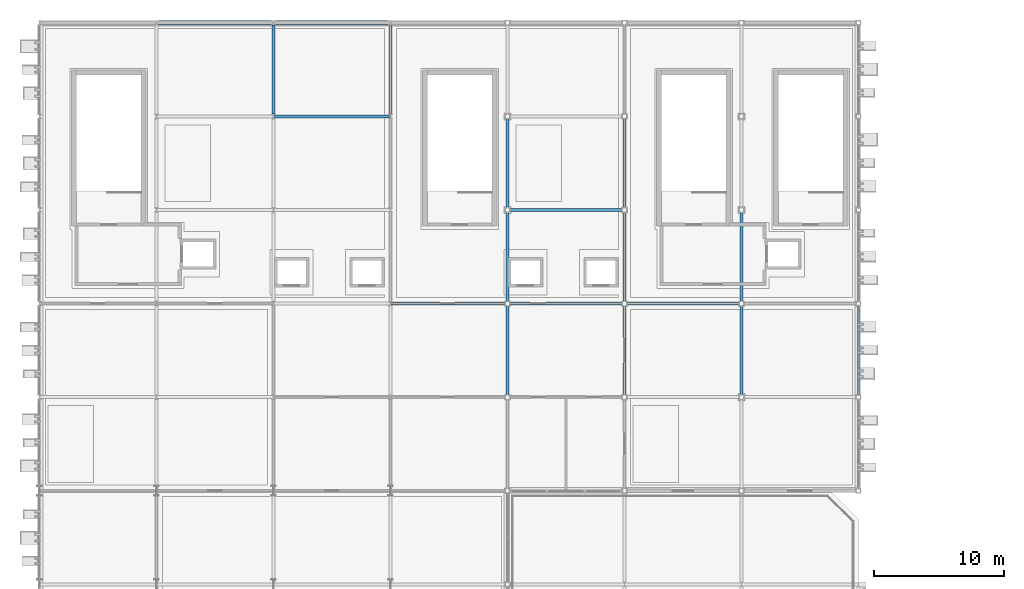
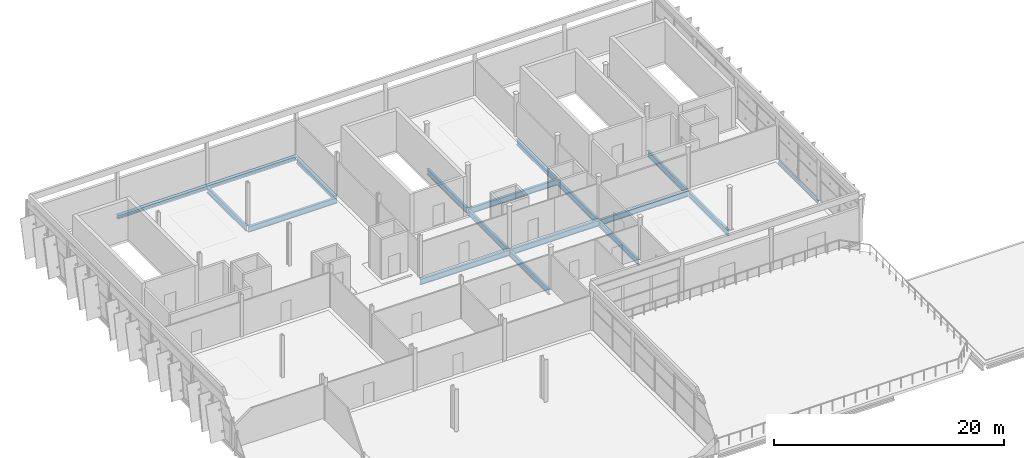
# One storey, part 29 of 52: 18 beams.
"""IFC4 building model written with IfcOpenShell, lengths in metres."""

from ifc_helpers import new_model, si_unit, direction, frame, origin, origin_2d, place, context, subcontext, project, spatial, hollow_rectangle, i_section, extrude, material, material_profile, profile_set, type_object, element, save


model = new_model("IFC4")

# Units and contexts
model_context = context("Model", 3, precision=1e-05, world=origin(), true_north=direction((0.0, 1.0)))
body_context = subcontext(model_context, "Body", "Model", "MODEL_VIEW")
ifc_project = project(units=[si_unit("LENGTHUNIT", "METRE"), si_unit("AREAUNIT", "SQUARE_METRE"), si_unit("VOLUMEUNIT", "CUBIC_METRE"), si_unit("PLANEANGLEUNIT", "RADIAN"), si_unit("MASSUNIT", "GRAM", prefix="KILO")], contexts=[model_context])

# Site, building, storey
site_placement = place(None, origin())
site = spatial("IfcSite", under=ifc_project, at=site_placement, CompositionType="ELEMENT")
building_placement = place(site_placement, origin())
building = spatial("IfcBuilding", under=site, at=building_placement, Name="Celestram Park Convention Centre", CompositionType="ELEMENT")
storey_placement = place(building_placement, frame((0.0, 0.0, 24.300048828125)))
storey = spatial("IfcBuildingStorey", under=building, at=storey_placement, Name="L05", CompositionType="ELEMENT", Elevation=24.300048828125)

# Beams
ifc_material_1 = material(Name="Steel ASTM A992 Grade 50", Category="steel")
ifc_material_profile_1 = material_profile(ifc_material_1, i_section(OverallWidth=0.22900390625, OverallDepth=0.612060546875, WebThickness=0.011962890625, FlangeThickness=0.01953125, at=origin_2d()), Name="W24X84")
ifc_profile_set_1 = profile_set([ifc_material_profile_1], Name="Steel ASTM A992 Grade 50")
beam_type_1 = type_object("IfcBeamType", Name="STR-BM-W24X84", PredefinedType="BEAM", material=ifc_profile_set_1)
beam_1_placement = place(storey_placement, frame((54.006103515625, 158.39990234375, -0.546142578125), z_axis=(1.0, 0.0, 0.0), x_axis=(0.0, 1.0, 0.0)))
element("IfcBeam", 1, at=beam_1_placement, inside=storey, type_object=beam_type_1, Name="Primary X-girder BG-L05-0042", PredefinedType="BEAM", context=body_context, shape_type="SweptSolid", body=[
    extrude(i_section(OverallWidth=0.22900390625, OverallDepth=0.612060546875, WebThickness=0.011962890625, FlangeThickness=0.01953125, at=origin_2d()), origin(), (0.0, 0.0, 1.0), 8.98779296875),
])
beam_2_placement = place(storey_placement, frame((54.0, 158.58447265625, -0.546142578125), z_axis=(0.0, 1.0, 0.0), x_axis=(-1.0, 0.0, 0.0)))
element("IfcBeam", 2, at=beam_2_placement, inside=storey, type_object=beam_type_1, Name="Primary Y-girder BG-L05-0043", PredefinedType="BEAM", context=body_context, shape_type="SweptSolid", body=[
    extrude(i_section(OverallWidth=0.22900390625, OverallDepth=0.612060546875, WebThickness=0.011962890625, FlangeThickness=0.01953125, at=origin_2d()), origin(), (0.0, 0.0, 1.0), 6.8310546875),
])
beam_3_placement = place(storey_placement, frame((63.006103515625, 144.0, -0.546142578125), z_axis=(1.0, 0.0, 0.0), x_axis=(0.0, 1.0, 0.0)))
element("IfcBeam", 3, at=beam_3_placement, inside=storey, type_object=beam_type_1, Name="Primary X-girder BG-L05-0052", PredefinedType="BEAM", context=body_context, shape_type="SweptSolid", body=[
    extrude(i_section(OverallWidth=0.22900390625, OverallDepth=0.612060546875, WebThickness=0.011962890625, FlangeThickness=0.01953125, at=origin_2d()), origin(), (0.0, 0.0, 1.0), 8.989013671875),
])
beam_4_placement = place(storey_placement, frame((63.0, 158.58447265625, -0.546142578125), z_axis=(0.0, 1.0, 0.0), x_axis=(-1.0, 0.0, 0.0)))
element("IfcBeam", 4, at=beam_4_placement, inside=storey, type_object=beam_type_1, Name="Primary Y-girder BG-L05-0055", PredefinedType="BEAM", context=body_context, shape_type="SweptSolid", body=[
    extrude(i_section(OverallWidth=0.22900390625, OverallDepth=0.612060546875, WebThickness=0.011962890625, FlangeThickness=0.01953125, at=origin_2d()), origin(), (0.0, 0.0, 1.0), 6.8310546875),
])
beam_5_placement = place(storey_placement, frame((72.0, 136.97607421875, -0.546142578125), z_axis=(0.0, 1.0, 0.0), x_axis=(-1.0, 0.0, 0.0)))
element("IfcBeam", 5, at=beam_5_placement, inside=storey, type_object=beam_type_1, Name="Primary Y-girder BG-L05-0063", PredefinedType="BEAM", context=body_context, shape_type="SweptSolid", body=[
    extrude(i_section(OverallWidth=0.22900390625, OverallDepth=0.612060546875, WebThickness=0.011962890625, FlangeThickness=0.01953125, at=origin_2d()), origin(), (0.0, 0.0, 1.0), 6.847900390625),
])
beam_6_placement = place(storey_placement, frame((72.0048828125, 144.0, -0.546142578125), z_axis=(1.0, 0.0, 0.0), x_axis=(0.0, 1.0, 0.0)))
element("IfcBeam", 6, at=beam_6_placement, inside=storey, type_object=beam_type_1, Name="Primary X-girder BG-L05-0064", PredefinedType="BEAM", context=body_context, shape_type="SweptSolid", body=[
    extrude(i_section(OverallWidth=0.22900390625, OverallDepth=0.612060546875, WebThickness=0.011962890625, FlangeThickness=0.01953125, at=origin_2d()), origin(), (0.0, 0.0, 1.0), 8.990234375),
])
beam_7_placement = place(storey_placement, frame((72.0, 144.176025390625, -0.546142578125), z_axis=(0.0, 1.0, 0.0), x_axis=(-1.0, 0.0, 0.0)))
element("IfcBeam", 7, at=beam_7_placement, inside=storey, type_object=beam_type_1, Name="Primary Y-girder BG-L05-0065", PredefinedType="BEAM", context=body_context, shape_type="SweptSolid", body=[
    extrude(i_section(OverallWidth=0.22900390625, OverallDepth=0.612060546875, WebThickness=0.011962890625, FlangeThickness=0.01953125, at=origin_2d()), origin(), (0.0, 0.0, 1.0), 6.847900390625),
])
beam_8_placement = place(storey_placement, frame((72.0048828125, 151.199951171875, -0.546142578125), z_axis=(1.0, 0.0, 0.0), x_axis=(0.0, 1.0, 0.0)))
element("IfcBeam", 8, at=beam_8_placement, inside=storey, type_object=beam_type_1, Name="Primary X-girder BG-L05-0066", PredefinedType="BEAM", context=body_context, shape_type="SweptSolid", body=[
    extrude(i_section(OverallWidth=0.22900390625, OverallDepth=0.612060546875, WebThickness=0.011962890625, FlangeThickness=0.01953125, at=origin_2d()), origin(), (0.0, 0.0, 1.0), 8.990234375),
])
beam_9_placement = place(storey_placement, frame((72.0, 151.3759765625, -0.546142578125), z_axis=(0.0, 1.0, 0.0), x_axis=(-1.0, 0.0, 0.0)))
element("IfcBeam", 9, at=beam_9_placement, inside=storey, type_object=beam_type_1, Name="Primary Y-girder BG-L05-0067", PredefinedType="BEAM", context=body_context, shape_type="SweptSolid", body=[
    extrude(i_section(OverallWidth=0.22900390625, OverallDepth=0.612060546875, WebThickness=0.011962890625, FlangeThickness=0.01953125, at=origin_2d()), origin(), (0.0, 0.0, 1.0), 6.84814453125),
])
beam_10_placement = place(storey_placement, frame((81.0, 136.97607421875, -0.546142578125), z_axis=(0.0, 1.0, 0.0), x_axis=(-1.0, 0.0, 0.0)))
element("IfcBeam", 10, at=beam_10_placement, inside=storey, type_object=beam_type_1, Name="Primary Y-girder BG-L05-0080", PredefinedType="BEAM", context=body_context, shape_type="SweptSolid", body=[
    extrude(i_section(OverallWidth=0.22900390625, OverallDepth=0.612060546875, WebThickness=0.011962890625, FlangeThickness=0.01953125, at=origin_2d()), origin(), (0.0, 0.0, 1.0), 6.847900390625),
])
beam_11_placement = place(storey_placement, frame((81.0048828125, 144.0, -0.546142578125), z_axis=(1.0, 0.0, 0.0), x_axis=(0.0, 1.0, 0.0)))
element("IfcBeam", 11, at=beam_11_placement, inside=storey, type_object=beam_type_1, Name="Primary X-girder BG-L05-0081", PredefinedType="BEAM", context=body_context, shape_type="SweptSolid", body=[
    extrude(i_section(OverallWidth=0.22900390625, OverallDepth=0.612060546875, WebThickness=0.011962890625, FlangeThickness=0.01953125, at=origin_2d()), origin(), (0.0, 0.0, 1.0), 8.990234375),
])
beam_12_placement = place(storey_placement, frame((81.0, 144.176025390625, -0.546142578125), z_axis=(0.0, 1.0, 0.0), x_axis=(-1.0, 0.0, 0.0)))
element("IfcBeam", 12, at=beam_12_placement, inside=storey, type_object=beam_type_1, Name="Primary Y-girder BG-L05-0082", PredefinedType="BEAM", context=body_context, shape_type="SweptSolid", body=[
    extrude(i_section(OverallWidth=0.22900390625, OverallDepth=0.612060546875, WebThickness=0.011962890625, FlangeThickness=0.01953125, at=origin_2d()), origin(), (0.0, 0.0, 1.0), 6.847900390625),
])
beam_13_placement = place(storey_placement, frame((81.0, 151.3759765625, -0.546142578125), z_axis=(0.0, 1.0, 0.0), x_axis=(-1.0, 0.0, 0.0)))
element("IfcBeam", 13, at=beam_13_placement, inside=storey, type_object=beam_type_1, Name="Primary Y-girder BG-L05-0083", PredefinedType="BEAM", context=body_context, shape_type="SweptSolid", body=[
    extrude(i_section(OverallWidth=0.22900390625, OverallDepth=0.612060546875, WebThickness=0.011962890625, FlangeThickness=0.01953125, at=origin_2d()), origin(), (0.0, 0.0, 1.0), 6.84814453125),
])
for number, where, z_axis, x_axis, name in (
    (14, (90.0, 136.97607421875, -0.546142578125), (0.0, 1.0, 0.0), (-1.0, 0.0, 0.0), "Primary Y-girder BG-L05-0094"),
    (15, (90.0, 144.176025390625, -0.546142578125), (0.0, 1.0, 0.0), (-1.0, 0.0, 0.0), "Primary Y-girder BG-L05-0096"),
):
    element("IfcBeam", number, at=place(storey_placement, frame(where, z_axis=z_axis, x_axis=x_axis)), inside=storey, type_object=beam_type_1, Name=name, PredefinedType="BEAM", context=body_context, shape_type="SweptSolid", body=[
        extrude(i_section(OverallWidth=0.22900390625, OverallDepth=0.612060546875, WebThickness=0.011962890625, FlangeThickness=0.01953125, at=origin_2d()), origin(), (0.0, 0.0, 1.0), 6.847900390625),
    ])
ifc_material_2 = material(Name="Steel ASTM A500 Grade C", Category="steel")
ifc_material_profile_2 = material_profile(ifc_material_2, hollow_rectangle(XDim=0.14990234375, YDim=0.25, WallThickness=0.010009765625, at=origin_2d()), Name="HSS250X150X10")
ifc_profile_set_2 = profile_set([ifc_material_profile_2], Name="Steel ASTM A500 Grade C")
beam_type_2 = type_object("IfcBeamType", Name="STR-SPN-HSS250X150", PredefinedType="SPANDREL", material=ifc_profile_set_2)
beam_14_placement = place(storey_placement, frame((99.0, 136.97607421875, -0.364990234375), z_axis=(0.0, 1.0, 0.0), x_axis=(-1.0, 0.0, 0.0)))
element("IfcBeam", 16, at=beam_14_placement, inside=storey, type_object=beam_type_2, Name="Primary Y-girder BG-L05-0105", PredefinedType="SPANDREL", context=body_context, shape_type="SweptSolid", body=[
    extrude(hollow_rectangle(XDim=0.14990234375, YDim=0.25, WallThickness=0.010009765625, at=origin_2d()), origin(), (0.0, 0.0, 1.0), 6.847900390625),
])
ifc_material_profile_3 = material_profile(ifc_material_1, i_section(OverallWidth=0.367919921875, OverallDepth=0.35595703125, WebThickness=0.01123046875, FlangeThickness=0.01806640625, at=origin_2d()), Name="W14X90")
ifc_profile_set_3 = profile_set([ifc_material_profile_3], Name="Steel ASTM A992 Grade 50")
beam_type_3 = type_object("IfcBeamType", Name="STR-SPN-W14X90", PredefinedType="SPANDREL", material=ifc_profile_set_3)
for number, where, z_axis, x_axis, name in (
    (17, (45.006103515625, 165.60009765625, -0.41796875), (1.0, 0.0, 0.0), (0.0, 1.0, 0.0), "Primary X-girder BG-L05-0030"),
    (18, (54.006103515625, 165.60009765625, -0.41796875), (1.0, 0.0, 0.0), (0.0, 1.0, 0.0), "Primary X-girder BG-L05-0044"),
):
    element("IfcBeam", number, at=place(storey_placement, frame(where, z_axis=z_axis, x_axis=x_axis)), inside=storey, type_object=beam_type_3, Name=name, PredefinedType="SPANDREL", context=body_context, shape_type="SweptSolid", body=[
        extrude(i_section(OverallWidth=0.367919921875, OverallDepth=0.35595703125, WebThickness=0.01123046875, FlangeThickness=0.01806640625, at=origin_2d()), origin(), (0.0, 0.0, 1.0), 8.98779296875),
    ])

save(model, "model.ifc")
